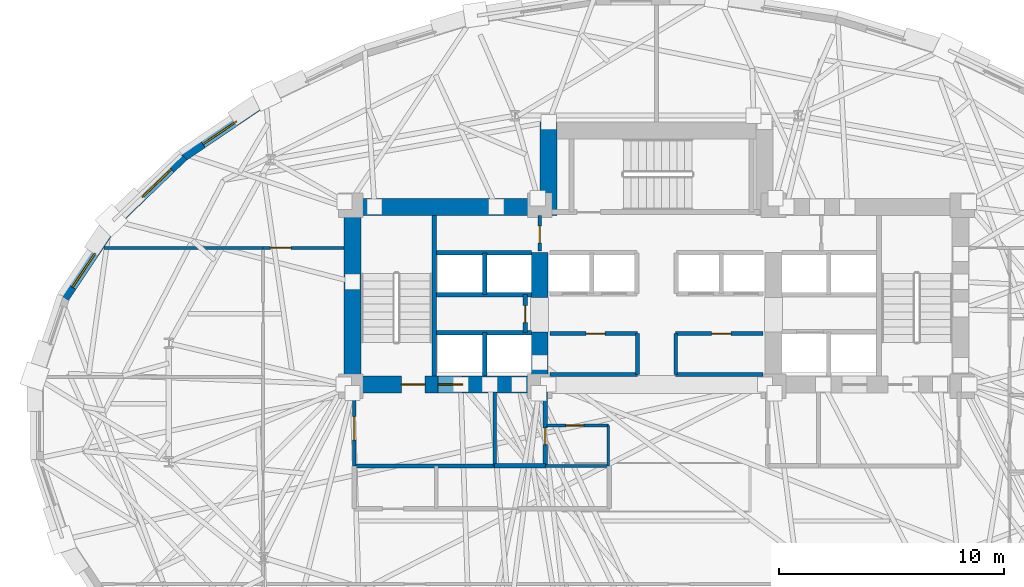
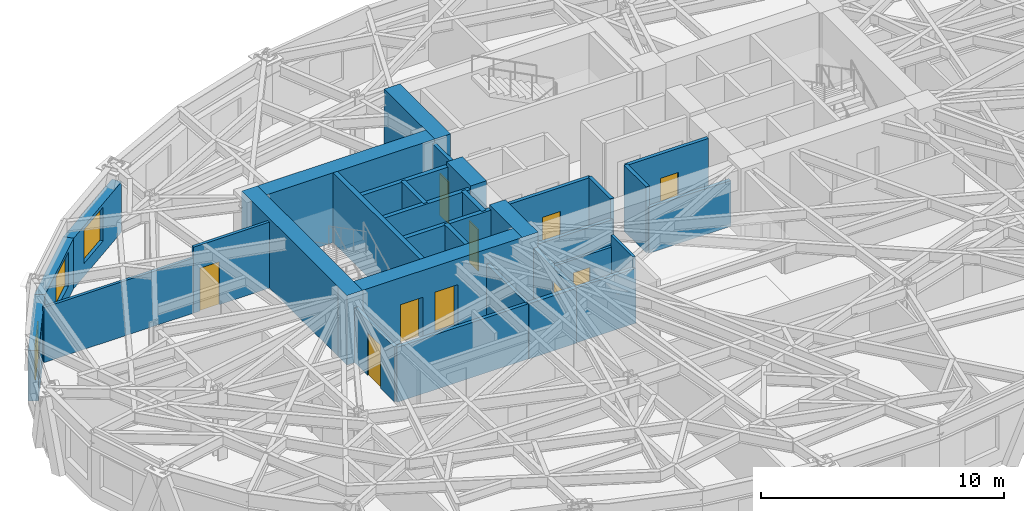
# One storey, part 7 of 14: 33 walls, 10 doors, 3 windows, 13 openings.
"""IFC4 building model written with IfcOpenShell, lengths in metres."""

from ifc_helpers import new_model, si_unit, direction, frame, frame_2d, origin, place, context, subcontext, project, spatial, rectangle, extrude, material, layer, layer_set, type_object, element, fill, save


model = new_model("IFC4")

# Units and contexts
model_context = context("Model", 3, precision=1e-05, world=origin(), true_north=direction((0.0, 1.0)))
body_context = subcontext(model_context, "Body", "Model", "MODEL_VIEW")
ifc_project = project(units=[si_unit("LENGTHUNIT", "METRE"), si_unit("AREAUNIT", "SQUARE_METRE"), si_unit("VOLUMEUNIT", "CUBIC_METRE"), si_unit("PLANEANGLEUNIT", "RADIAN"), si_unit("MASSUNIT", "GRAM", prefix="KILO")], contexts=[model_context])

# Site, building, storey
site_placement = place(None, origin())
site = spatial("IfcSite", under=ifc_project, at=site_placement, CompositionType="ELEMENT")
building_placement = place(site_placement, origin())
building = spatial("IfcBuilding", under=site, at=building_placement, Name="Keldmark Tower", CompositionType="ELEMENT")
storey_placement = place(building_placement, frame((0.0, 0.0, 100.10009765625)))
storey = spatial("IfcBuildingStorey", under=building, at=storey_placement, Name="L26", CompositionType="ELEMENT", Elevation=100.10009765625)

# Wall, opening, door
ifc_material_1 = material(Name="Acoustic Double-Layer Gypsum Corridor Partition", Category="gypsum")
ifc_layer_1 = layer(ifc_material_1, 0.139892578125)
ifc_layer_set_1 = layer_set([ifc_layer_1], Name="Acoustic Double-Layer Gypsum Corridor Partition")
wall_type_1 = type_object("IfcWallType", Name="Acoustic Corridor Partition 140 mm", PredefinedType="PARTITIONING", material=ifc_layer_set_1)
wall_1_placement = place(storey_placement, frame((-17.5, 7.550048828125, 0.0), z_axis=(0.0, 0.0, 1.0), x_axis=(1.0, 0.0, 0.0)))
wall_1 = element("IfcWall", 1, at=wall_1_placement, inside=storey, type_object=wall_type_1, Name="L26 Acoustic Corridor Partition 140 mm COR-WN-CAP", PredefinedType="PARTITIONING", context=body_context, shape_type="SweptSolid", body=[
    extrude(rectangle(XDim=3.60009765625, YDim=0.139892578125, at=frame_2d((1.800048828125, 0.0))), origin(), (0.0, 0.0, 1.0), 3.309814453125),
])
opening_1_placement = place(wall_1_placement, frame((0.320068359375, 0.0, 0.0)))
opening_1 = element("IfcOpeningElement", 2, at=opening_1_placement, cuts=wall_1, Name="Opening D-EX092", PredefinedType="OPENING", context=body_context, shape_type="SweptSolid", body=[
    extrude(rectangle(XDim=0.919921875, YDim=2.14990234375, at=frame_2d((0.4599609375, 1.074951171875))), frame((0.0, 0.079833984375, 0.0), z_axis=(0.0, -1.0, 0.0), x_axis=(1.0, 0.0, 0.0)), (0.0, 0.0, 1.0), 0.159912109375),
])
ifc_material_2 = material(Name="Flush American Ash Executive Office Door", Category="wood")
door_type_1 = type_object("IfcDoorType", Name="Executive Office Door 920x2150", OperationType="NOTDEFINED", PredefinedType="DOOR", material=ifc_material_2)
door_1_placement = place(opening_1_placement, origin())
door_1 = element("IfcDoor", 3, at=door_1_placement, inside=storey, type_object=door_type_1, Name="L26 Executive Office Door 920x2150 D-NRNW-L26", OperationType="SINGLE_SWING_LEFT", OverallHeight=2.14990234375, OverallWidth=0.919921875, PredefinedType="DOOR", context=body_context, shape_type="SweptSolid", body=[
    extrude(rectangle(XDim=0.919921875, YDim=2.14990234375, at=frame_2d((0.4599609375, 1.074951171875))), frame((0.0, 0.02490234375, 0.0), z_axis=(0.0, -1.0, 0.0), x_axis=(1.0, 0.0, 0.0)), (0.0, 0.0, 1.0), 0.050048828125),
])
fill(opening_1, door_1)

ifc_material_3 = material(Name="Acoustic Gypsum Board Interior Partition", Category="gypsum")
ifc_layer_2 = layer(ifc_material_3, 0.1298828125)
ifc_layer_set_2 = layer_set([ifc_layer_2], Name="Acoustic Gypsum Board Interior Partition")
wall_type_2 = type_object("IfcWallType", Name="Interior Partition 130 mm", PredefinedType="PARTITIONING", material=ifc_layer_set_2)
wall_2_placement = place(storey_placement, frame((-4.8798828125, -0.35009765625, 0.0), z_axis=(0.0, 0.0, 1.0), x_axis=(1.0, 0.0, 0.0)))
wall_2 = element("IfcWall", 4, at=wall_2_placement, inside=storey, type_object=wall_type_2, Name="L26 Interior Partition 130 mm CSC-W-N", PredefinedType="PARTITIONING", context=body_context, shape_type="SweptSolid", body=[
    extrude(rectangle(XDim=2.72998046875, YDim=0.1298828125, at=frame_2d((1.364990234375, 0.0))), origin(), (0.0, 0.0, 1.0), 2.762939453125),
])
opening_2_placement = place(wall_2_placement, frame((0.85009765625, 0.0, 0.0)))
opening_2 = element("IfcOpeningElement", 5, at=opening_2_placement, cuts=wall_2, Name="Opening D-CL078", PredefinedType="OPENING", context=body_context, shape_type="SweptSolid", body=[
    extrude(rectangle(XDim=0.780029296875, YDim=2.10009765625, at=frame_2d((0.39013671875, 1.050048828125))), frame((0.0, 0.074951171875, 0.0), z_axis=(0.0, -1.0, 0.0), x_axis=(1.0, 0.0, 0.0)), (0.0, 0.0, 1.0), 0.14990234375),
])
ifc_material_4 = material(Name="Flush Utility Closet Timber Door", Category="wood")
door_type_2 = type_object("IfcDoorType", Name="Closet Door 780x2100", OperationType="NOTDEFINED", PredefinedType="DOOR", material=ifc_material_4)
door_2_placement = place(opening_2_placement, origin())
door_2 = element("IfcDoor", 6, at=door_2_placement, inside=storey, type_object=door_type_2, Name="L26 Closet Door 780x2100 D-CSCW1-L26", OperationType="SINGLE_SWING_LEFT", OverallHeight=2.10009765625, OverallWidth=0.780029296875, PredefinedType="DOOR", context=body_context, shape_type="SweptSolid", body=[
    extrude(rectangle(XDim=0.780029296875, YDim=2.10009765625, at=frame_2d((0.39013671875, 1.050048828125))), frame((0.0, 0.02490234375, 0.0), z_axis=(0.0, -1.0, 0.0), x_axis=(1.0, 0.0, 0.0)), (0.0, 0.0, 1.0), 0.050048828125),
])
fill(opening_2, door_2)

# Walls
wall_3_placement = place(storey_placement, frame((-2.14990234375, -2.14990234375, 0.0), z_axis=(0.0, 0.0, 1.0), x_axis=(0.0, 1.0, 0.0)))
element("IfcWall", 7, at=wall_3_placement, inside=storey, type_object=wall_type_2, Name="L26 Interior Partition 130 mm CSC-W-E", PredefinedType="PARTITIONING", context=body_context, shape_type="SweptSolid", body=[
    extrude(rectangle(XDim=1.7998046875, YDim=0.1298828125, at=frame_2d((0.89990234375, 0.0))), origin(), (0.0, 0.0, 1.0), 3.309814453125),
])
wall_4_placement = place(storey_placement, frame((-24.588623046875, 7.550048828125, 0.0), z_axis=(0.0, 0.0, 1.0), x_axis=(1.0, 0.0, 0.0)))
element("IfcWall", 8, at=wall_4_placement, inside=storey, type_object=wall_type_2, Name="L26 Interior Partition 130 mm W-CAP-N", PredefinedType="PARTITIONING", context=body_context, shape_type="SweptSolid", body=[
    extrude(rectangle(XDim=7.088623046875, YDim=0.1298828125, at=frame_2d((3.54443359375, 0.0))), origin(), (0.0, 0.0, 1.0), 2.762939453125),
])
ifc_material_5 = material(Name="Concrete C70/85", Category="concrete")
ifc_layer_3 = layer(ifc_material_5, 0.75)
ifc_layer_set_3 = layer_set([ifc_layer_3], Name="Concrete C70/85")
wall_type_3 = type_object("IfcWallType", Name="Low-Mid Core Shear Wall 750 mm", PredefinedType="SHEAR", material=ifc_layer_set_3)
wall_5_placement = place(storey_placement, frame((-13.52490234375, 1.10009765625, 0.0), z_axis=(0.0, 0.0, 1.0), x_axis=(0.0, 1.0, 0.0)))
element("IfcWall", 9, at=wall_5_placement, inside=storey, type_object=wall_type_3, Name="L26 West Core Outer Shear Wall", PredefinedType="SHEAR", context=body_context, shape_type="SweptSolid", body=[
    extrude(rectangle(XDim=8.64990234375, YDim=0.75, at=frame_2d((4.324951171875, 0.0))), origin(), (0.0, 0.0, 1.0), 3.5),
])
wall_6_placement = place(storey_placement, frame((-13.89990234375, 9.375, 0.0), z_axis=(0.0, 0.0, 1.0), x_axis=(1.0, 0.0, 0.0)))
element("IfcWall", 10, at=wall_6_placement, inside=storey, type_object=wall_type_3, Name="L26 West Core North Shear Wall", PredefinedType="SHEAR", context=body_context, shape_type="SweptSolid", body=[
    extrude(rectangle(XDim=9.474853515625, YDim=0.75, at=frame_2d((4.7373046875, 0.0))), origin(), (0.0, 0.0, 1.0), 3.5),
])

# Wall, openings, doors
wall_7_placement = place(storey_placement, frame((-4.824951171875, 1.47509765625, 0.0), z_axis=(0.0, 0.0, 1.0), x_axis=(-1.0, 0.0, 0.0)))
wall_7 = element("IfcWall", 11, at=wall_7_placement, inside=storey, type_object=wall_type_3, Name="L26 West Core South Shear Wall", PredefinedType="SHEAR", context=body_context, shape_type="SweptSolid", body=[
    extrude(rectangle(XDim=9.074951171875, YDim=0.75, at=frame_2d((4.53759765625, 0.0))), origin(), (0.0, 0.0, 1.0), 3.5),
])
opening_3_placement = place(wall_7_placement, frame((5.47509765625, 0.0, 0.0)))
opening_3 = element("IfcOpeningElement", 12, at=opening_3_placement, cuts=wall_7, Name="Opening D-ST105", PredefinedType="OPENING", context=body_context, shape_type="SweptSolid", body=[
    extrude(rectangle(XDim=1.050048828125, YDim=2.14990234375, at=frame_2d((0.52490234375, 1.074951171875))), frame((0.0, 0.385009765625, 0.0), z_axis=(0.0, -1.0, 0.0), x_axis=(1.0, 0.0, 0.0)), (0.0, 0.0, 1.0), 0.77001953125),
])
opening_4_placement = place(wall_7_placement, frame((3.804931640625, 0.0, 0.0)))
opening_4 = element("IfcOpeningElement", 13, at=opening_4_placement, cuts=wall_7, Name="Opening LD-110", PredefinedType="OPENING", context=body_context, shape_type="SweptSolid", body=[
    extrude(rectangle(XDim=1.10009765625, YDim=2.199951171875, at=frame_2d((0.550048828125, 1.10009765625))), frame((0.0, 0.385009765625, 0.0), z_axis=(0.0, -1.0, 0.0), x_axis=(1.0, 0.0, 0.0)), (0.0, 0.0, 1.0), 0.77001953125),
])
ifc_material_6 = material(Name="Brushed Bronze Hoistway Sliding Leaf", Category="metal")
door_type_3 = type_object("IfcDoorType", Name="Lift Landing Sliding Door 1100x2200", OperationType="SLIDING_TO_LEFT", PredefinedType="DOOR", material=ifc_material_6)
door_3_placement = place(opening_4_placement, origin())
door_3 = element("IfcDoor", 14, at=door_3_placement, inside=storey, type_object=door_type_3, Name="L26 Lift Landing Sliding Door 1100x2200 LD-EL-FS1-L26", OperationType="SLIDING_TO_LEFT", OverallHeight=2.199951171875, OverallWidth=1.10009765625, PredefinedType="DOOR", context=body_context, shape_type="SweptSolid", body=[
    extrude(rectangle(XDim=1.10009765625, YDim=2.199951171875, at=frame_2d((0.550048828125, 1.10009765625))), frame((0.0, 0.02490234375, 0.0), z_axis=(0.0, -1.0, 0.0), x_axis=(1.0, 0.0, 0.0)), (0.0, 0.0, 1.0), 0.050048828125),
])
fill(opening_4, door_3)
ifc_material_7 = material(Name="Hollow Metal Fire-Rated Door Assembly", Category="metal")
door_type_4 = type_object("IfcDoorType", Name="Stair Fire Door 1050x2150", OperationType="NOTDEFINED", PredefinedType="DOOR", material=ifc_material_7)
door_4_placement = place(opening_3_placement, origin())
door_4 = element("IfcDoor", 15, at=door_4_placement, inside=storey, type_object=door_type_4, Name="L26 Stair Fire Door 1050x2150 D-ST1-L26", OperationType="SINGLE_SWING_RIGHT", OverallHeight=2.14990234375, OverallWidth=1.050048828125, PredefinedType="DOOR", context=body_context, shape_type="SweptSolid", body=[
    extrude(rectangle(XDim=1.050048828125, YDim=2.14990234375, at=frame_2d((0.52490234375, 1.074951171875))), frame((0.0, 0.02490234375, 0.0), z_axis=(0.0, -1.0, 0.0), x_axis=(1.0, 0.0, 0.0)), (0.0, 0.0, 1.0), 0.050048828125),
])
fill(opening_3, door_4)

# Walls
wall_8_placement = place(storey_placement, frame((-5.199951171875, 1.10009765625, 0.0), z_axis=(0.0, 0.0, 1.0), x_axis=(0.0, 1.0, 0.0)))
element("IfcWall", 16, at=wall_8_placement, inside=storey, type_object=wall_type_3, Name="L26 West Core Inner Shear Pier South", PredefinedType="SHEAR", context=body_context, shape_type="SweptSolid", body=[
    extrude(rectangle(XDim=2.699951171875, YDim=0.75, at=frame_2d((1.35009765625, 0.0))), origin(), (0.0, 0.0, 1.0), 3.5),
])
wall_9_placement = place(storey_placement, frame((-5.199951171875, 5.35009765625, 0.0), z_axis=(0.0, 0.0, 1.0), x_axis=(0.0, 1.0, 0.0)))
element("IfcWall", 17, at=wall_9_placement, inside=storey, type_object=wall_type_3, Name="L26 West Core Inner Shear Pier North", PredefinedType="SHEAR", context=body_context, shape_type="SweptSolid", body=[
    extrude(rectangle(XDim=2.0, YDim=0.75, at=frame_2d((1.0, 0.0))), origin(), (0.0, 0.0, 1.0), 3.5),
])
wall_10_placement = place(storey_placement, frame((-4.800048828125, 9.0, 0.0), z_axis=(0.0, 0.0, 1.0), x_axis=(0.0, 1.0, 0.0)))
element("IfcWall", 18, at=wall_10_placement, inside=storey, type_object=wall_type_3, Name="L26 North Core West Shear Wall", PredefinedType="SHEAR", context=body_context, shape_type="SweptSolid", body=[
    extrude(rectangle(XDim=4.14990234375, YDim=0.75, at=frame_2d((2.074951171875, 0.0))), origin(), (0.0, 0.0, 1.0), 3.5),
])
ifc_material_8 = material(Name="Type X Fire-Rated Gypsum Partition Assembly", Category="gypsum")
ifc_layer_4 = layer(ifc_material_8, 0.1650390625)
ifc_layer_set_4 = layer_set([ifc_layer_4], Name="Type X Fire-Rated Gypsum Partition Assembly")
wall_type_4 = type_object("IfcWallType", Name="Rated Partition 165 mm", PredefinedType="PARTITIONING", material=ifc_layer_set_4)
wall_11_placement = place(storey_placement, frame((-13.449951171875, -2.14990234375, 0.0), z_axis=(0.0, 0.0, 1.0), x_axis=(1.0, 0.0, 0.0)))
element("IfcWall", 19, at=wall_11_placement, inside=storey, type_object=wall_type_4, Name="L26 Rated Partition 165 mm FSAE-W-S", PredefinedType="PARTITIONING", context=body_context, shape_type="SweptSolid", body=[
    extrude(rectangle(XDim=6.25, YDim=0.1650390625, at=frame_2d((3.125, 0.0))), origin(), (0.0, 0.0, 1.0), 2.762939453125),
])

# Wall, opening, door
wall_12_placement = place(storey_placement, frame((-13.449951171875, -2.14990234375, 0.0), z_axis=(0.0, 0.0, 1.0), x_axis=(0.0, 1.0, 0.0)))
wall_12 = element("IfcWall", 20, at=wall_12_placement, inside=storey, type_object=wall_type_4, Name="L26 Rated Partition 165 mm FSAE-W-W", PredefinedType="PARTITIONING", context=body_context, shape_type="SweptSolid", body=[
    extrude(rectangle(XDim=3.2998046875, YDim=0.1650390625, at=frame_2d((1.64990234375, 0.0))), origin(), (0.0, 0.0, 1.0), 2.762939453125),
])
opening_5_placement = place(wall_12_placement, frame((1.14990234375, 0.0, 0.0)))
opening_5 = element("IfcOpeningElement", 21, at=opening_5_placement, cuts=wall_12, Name="Opening D-FL105", PredefinedType="OPENING", context=body_context, shape_type="SweptSolid", body=[
    extrude(rectangle(XDim=1.050048828125, YDim=2.14990234375, at=frame_2d((0.52490234375, 1.074951171875))), frame((0.0, 0.092529296875, 0.0), z_axis=(0.0, -1.0, 0.0), x_axis=(1.0, 0.0, 0.0)), (0.0, 0.0, 1.0), 0.18505859375),
])
ifc_material_9 = material(Name="Fire-Rated Mineral-Core Door and Vision Lite", Category="metal")
door_type_5 = type_object("IfcDoorType", Name="Fire Lobby Door 1050x2150", OperationType="NOTDEFINED", PredefinedType="DOOR", material=ifc_material_9)
door_5_placement = place(opening_5_placement, origin())
door_5 = element("IfcDoor", 22, at=door_5_placement, inside=storey, type_object=door_type_5, Name="L26 Fire Lobby Door 1050x2150 D-FSAEW-OUT-L26", OperationType="SINGLE_SWING_LEFT", OverallHeight=2.14990234375, OverallWidth=1.050048828125, PredefinedType="DOOR", context=body_context, shape_type="SweptSolid", body=[
    extrude(rectangle(XDim=1.050048828125, YDim=2.14990234375, at=frame_2d((0.52490234375, 1.074951171875))), frame((0.0, 0.02490234375, 0.0), z_axis=(0.0, -1.0, 0.0), x_axis=(1.0, 0.0, 0.0)), (0.0, 0.0, 1.0), 0.050048828125),
])
fill(opening_5, door_5)

# Walls
wall_13_placement = place(storey_placement, frame((-7.199951171875, -2.14990234375, 0.0), z_axis=(0.0, 0.0, 1.0), x_axis=(0.0, 1.0, 0.0)))
element("IfcWall", 23, at=wall_13_placement, inside=storey, type_object=wall_type_4, Name="L26 Rated Partition 165 mm FSAE-W-E", PredefinedType="PARTITIONING", context=body_context, shape_type="SweptSolid", body=[
    extrude(rectangle(XDim=3.2998046875, YDim=0.1650390625, at=frame_2d((1.64990234375, 0.0))), origin(), (0.0, 0.0, 1.0), 2.762939453125),
])
wall_14_placement = place(storey_placement, frame((-4.739990234375, 1.919921875, 0.0), z_axis=(0.0, 0.0, 1.0), x_axis=(1.0, 0.0, 0.0)))
element("IfcWall", 24, at=wall_14_placement, inside=storey, type_object=wall_type_4, Name="L26 Rated Partition 165 mm REC-LW-S", PredefinedType="PARTITIONING", context=body_context, shape_type="SweptSolid", body=[
    extrude(rectangle(XDim=3.889892578125, YDim=0.1650390625, at=frame_2d((1.94482421875, 0.0))), origin(), (0.0, 0.0, 1.0), 2.2998046875),
])

# Wall, opening, door
wall_15_placement = place(storey_placement, frame((-4.739990234375, 3.739990234375, 0.0), z_axis=(0.0, 0.0, 1.0), x_axis=(1.0, 0.0, 0.0)))
wall_15 = element("IfcWall", 25, at=wall_15_placement, inside=storey, type_object=wall_type_4, Name="L26 Rated Partition 165 mm REC-LW-N", PredefinedType="PARTITIONING", context=body_context, shape_type="SweptSolid", body=[
    extrude(rectangle(XDim=3.889892578125, YDim=0.1650390625, at=frame_2d((1.94482421875, 0.0))), origin(), (0.0, 0.0, 1.0), 3.309814453125),
])
opening_6_placement = place(wall_15_placement, frame((1.60009765625, 0.0, 0.0)))
opening_6 = element("IfcOpeningElement", 26, at=opening_6_placement, cuts=wall_15, Name="Opening D-SV085", PredefinedType="OPENING", context=body_context, shape_type="SweptSolid", body=[
    extrude(rectangle(XDim=0.85009765625, YDim=2.10009765625, at=frame_2d((0.425048828125, 1.050048828125))), frame((0.0, 0.092529296875, 0.0), z_axis=(0.0, -1.0, 0.0), x_axis=(1.0, 0.0, 0.0)), (0.0, 0.0, 1.0), 0.18505859375),
])
ifc_material_10 = material(Name="Painted Hollow Metal Door Assembly", Category="metal")
door_type_6 = type_object("IfcDoorType", Name="Service Door 850x2100", OperationType="NOTDEFINED", PredefinedType="DOOR", material=ifc_material_10)
door_6_placement = place(opening_6_placement, origin())
door_6 = element("IfcDoor", 27, at=door_6_placement, inside=storey, type_object=door_type_6, Name="L26 Service Door 850x2100 D-RECLW1-L26", OperationType="SINGLE_SWING_LEFT", OverallHeight=2.10009765625, OverallWidth=0.85009765625, PredefinedType="DOOR", context=body_context, shape_type="SweptSolid", body=[
    extrude(rectangle(XDim=0.85009765625, YDim=2.10009765625, at=frame_2d((0.425048828125, 1.050048828125))), frame((0.0, 0.02490234375, 0.0), z_axis=(0.0, -1.0, 0.0), x_axis=(1.0, 0.0, 0.0)), (0.0, 0.0, 1.0), 0.050048828125),
])
fill(opening_6, door_6)

# Walls
wall_16_placement = place(storey_placement, frame((-0.85009765625, 1.919921875, 0.0), z_axis=(0.0, 0.0, 1.0), x_axis=(0.0, 1.0, 0.0)))
element("IfcWall", 28, at=wall_16_placement, inside=storey, type_object=wall_type_4, Name="L26 Rated Partition 165 mm REC-LW-E", PredefinedType="PARTITIONING", context=body_context, shape_type="SweptSolid", body=[
    extrude(rectangle(XDim=1.820068359375, YDim=0.1650390625, at=frame_2d((0.91015625, 0.0))), origin(), (0.0, 0.0, 1.0), 3.309814453125),
])
wall_17_placement = place(storey_placement, frame((0.85009765625, 1.919921875, 0.0), z_axis=(0.0, 0.0, 1.0), x_axis=(1.0, 0.0, 0.0)))
element("IfcWall", 29, at=wall_17_placement, inside=storey, type_object=wall_type_4, Name="L26 Rated Partition 165 mm REC-LE-S", PredefinedType="PARTITIONING", context=body_context, shape_type="SweptSolid", body=[
    extrude(rectangle(XDim=3.889892578125, YDim=0.1650390625, at=frame_2d((1.94482421875, 0.0))), origin(), (0.0, 0.0, 1.0), 2.2998046875),
])

# Wall, opening, door
wall_18_placement = place(storey_placement, frame((0.85009765625, 3.739990234375, 0.0), z_axis=(0.0, 0.0, 1.0), x_axis=(1.0, 0.0, 0.0)))
wall_18 = element("IfcWall", 30, at=wall_18_placement, inside=storey, type_object=wall_type_4, Name="L26 Rated Partition 165 mm REC-LE-N", PredefinedType="PARTITIONING", context=body_context, shape_type="SweptSolid", body=[
    extrude(rectangle(XDim=3.889892578125, YDim=0.1650390625, at=frame_2d((1.94482421875, 0.0))), origin(), (0.0, 0.0, 1.0), 3.309814453125),
])
opening_7_placement = place(wall_18_placement, frame((1.60009765625, 0.0, 0.0)))
opening_7 = element("IfcOpeningElement", 31, at=opening_7_placement, cuts=wall_18, Name="Opening D-SV085", PredefinedType="OPENING", context=body_context, shape_type="SweptSolid", body=[
    extrude(rectangle(XDim=0.85009765625, YDim=2.10009765625, at=frame_2d((0.425048828125, 1.050048828125))), frame((0.0, 0.092529296875, 0.0), z_axis=(0.0, -1.0, 0.0), x_axis=(1.0, 0.0, 0.0)), (0.0, 0.0, 1.0), 0.18505859375),
])
door_7_placement = place(opening_7_placement, origin())
door_7 = element("IfcDoor", 32, at=door_7_placement, inside=storey, type_object=door_type_6, Name="L26 Service Door 850x2100 D-RECLE1-L26", OperationType="SINGLE_SWING_RIGHT", OverallHeight=2.10009765625, OverallWidth=0.85009765625, PredefinedType="DOOR", context=body_context, shape_type="SweptSolid", body=[
    extrude(rectangle(XDim=0.85009765625, YDim=2.10009765625, at=frame_2d((0.425048828125, 1.050048828125))), frame((0.0, 0.02490234375, 0.0), z_axis=(0.0, -1.0, 0.0), x_axis=(1.0, 0.0, 0.0)), (0.0, 0.0, 1.0), 0.050048828125),
])
fill(opening_7, door_7)

# Wall
wall_19_placement = place(storey_placement, frame((0.85009765625, 1.919921875, 0.0), z_axis=(0.0, 0.0, 1.0), x_axis=(0.0, 1.0, 0.0)))
element("IfcWall", 33, at=wall_19_placement, inside=storey, type_object=wall_type_4, Name="L26 Rated Partition 165 mm REC-LE-W", PredefinedType="PARTITIONING", context=body_context, shape_type="SweptSolid", body=[
    extrude(rectangle(XDim=1.820068359375, YDim=0.1650390625, at=frame_2d((0.91015625, 0.0))), origin(), (0.0, 0.0, 1.0), 3.309814453125),
])

# Wall, opening, door
wall_20_placement = place(storey_placement, frame((-5.199951171875, 7.419921875, 0.0), z_axis=(0.0, 0.0, 1.0), x_axis=(0.0, 1.0, 0.0)))
wall_20 = element("IfcWall", 34, at=wall_20_placement, inside=storey, type_object=wall_type_4, Name="L26 Rated Partition 165 mm CS-NW-E", PredefinedType="PARTITIONING", context=body_context, shape_type="SweptSolid", body=[
    extrude(rectangle(XDim=1.580078125, YDim=0.1650390625, at=frame_2d((0.7900390625, 0.0))), origin(), (0.0, 0.0, 1.0), 3.309814453125),
])
opening_8_placement = place(wall_20_placement, frame((0.35009765625, 0.0, 0.0)))
opening_8 = element("IfcOpeningElement", 35, at=opening_8_placement, cuts=wall_20, Name="Opening D-RS075", PredefinedType="OPENING", context=body_context, shape_type="SweptSolid", body=[
    extrude(rectangle(XDim=0.75, YDim=2.10009765625, at=frame_2d((0.375, 1.050048828125))), frame((0.0, 0.092529296875, 0.0), z_axis=(0.0, -1.0, 0.0), x_axis=(1.0, 0.0, 0.0)), (0.0, 0.0, 1.0), 0.18505859375),
])
ifc_material_11 = material(Name="Galvanized Fire-Rated Access Leaf", Category="metal")
door_type_7 = type_object("IfcDoorType", Name="Riser Access Door 750x2100", OperationType="NOTDEFINED", PredefinedType="DOOR", material=ifc_material_11)
door_8_placement = place(opening_8_placement, origin())
door_8 = element("IfcDoor", 36, at=door_8_placement, inside=storey, type_object=door_type_7, Name="L26 Riser Access Door 750x2100 D-CSNW1-L26", OperationType="SINGLE_SWING_LEFT", OverallHeight=2.10009765625, OverallWidth=0.75, PredefinedType="DOOR", context=body_context, shape_type="SweptSolid", body=[
    extrude(rectangle(XDim=0.75, YDim=2.10009765625, at=frame_2d((0.375, 1.050048828125))), frame((0.0, 0.02490234375, 0.0), z_axis=(0.0, -1.0, 0.0), x_axis=(1.0, 0.0, 0.0)), (0.0, 0.0, 1.0), 0.050048828125),
])
fill(opening_8, door_8)

# Wall
ifc_material_12 = material(Name="Fire-Resistant Type X Gypsum Shaftliner Coreboard", Category="gypsum")
ifc_layer_5 = layer(ifc_material_12, 0.199951171875)
ifc_layer_set_5 = layer_set([ifc_layer_5], Name="Fire-Resistant Type X Gypsum Shaftliner Coreboard")
wall_type_5 = type_object("IfcWallType", Name="Shaft Wall 200 mm", PredefinedType="SOLIDWALL", material=ifc_layer_set_5)
wall_21_placement = place(storey_placement, frame((-7.199951171875, -2.14990234375, 0.0), z_axis=(0.0, 0.0, 1.0), x_axis=(1.0, 0.0, 0.0)))
element("IfcWall", 37, at=wall_21_placement, inside=storey, type_object=wall_type_5, Name="L26 Shaft Wall 200 mm RIS-SW-S", PredefinedType="SOLIDWALL", context=body_context, shape_type="SweptSolid", body=[
    extrude(rectangle(XDim=2.25, YDim=0.199951171875, at=frame_2d((1.125, 0.0))), origin(), (0.0, 0.0, 1.0), 2.762939453125),
])

# Wall, opening, door
wall_22_placement = place(storey_placement, frame((-4.949951171875, -2.14990234375, 0.0), z_axis=(0.0, 0.0, 1.0), x_axis=(0.0, 1.0, 0.0)))
wall_22 = element("IfcWall", 38, at=wall_22_placement, inside=storey, type_object=wall_type_5, Name="L26 Shaft Wall 200 mm RIS-SW-E", PredefinedType="SOLIDWALL", context=body_context, shape_type="SweptSolid", body=[
    extrude(rectangle(XDim=3.2998046875, YDim=0.199951171875, at=frame_2d((1.64990234375, 0.0))), origin(), (0.0, 0.0, 1.0), 2.762939453125),
])
opening_9_placement = place(wall_22_placement, frame((0.949951171875, 0.0, 0.0)))
opening_9 = element("IfcOpeningElement", 39, at=opening_9_placement, cuts=wall_22, Name="Opening D-RS075", PredefinedType="OPENING", context=body_context, shape_type="SweptSolid", body=[
    extrude(rectangle(XDim=0.75, YDim=2.10009765625, at=frame_2d((0.375, 1.050048828125))), frame((0.0, 0.10986328125, 0.0), z_axis=(0.0, -1.0, 0.0), x_axis=(1.0, 0.0, 0.0)), (0.0, 0.0, 1.0), 0.219970703125),
])
door_9_placement = place(opening_9_placement, origin())
door_9 = element("IfcDoor", 40, at=door_9_placement, inside=storey, type_object=door_type_7, Name="L26 Riser Access Door 750x2100 D-RISSW-L26", OperationType="SINGLE_SWING_RIGHT", OverallHeight=2.10009765625, OverallWidth=0.75, PredefinedType="DOOR", context=body_context, shape_type="SweptSolid", body=[
    extrude(rectangle(XDim=0.75, YDim=2.10009765625, at=frame_2d((0.375, 1.050048828125))), frame((0.0, 0.02490234375, 0.0), z_axis=(0.0, -1.0, 0.0), x_axis=(1.0, 0.0, 0.0)), (0.0, 0.0, 1.0), 0.050048828125),
])
fill(opening_9, door_9)

# Walls
wall_23_placement = place(storey_placement, frame((-9.780029296875, 3.780029296875, 0.0), z_axis=(0.0, 0.0, 1.0), x_axis=(1.0, 0.0, 0.0)))
element("IfcWall", 41, at=wall_23_placement, inside=storey, type_object=wall_type_5, Name="L26 Shaft Wall 200 mm HW-W-S", PredefinedType="SOLIDWALL", context=body_context, shape_type="SweptSolid", body=[
    extrude(rectangle(XDim=4.205078125, YDim=0.199951171875, at=frame_2d((2.1025390625, 0.0))), origin(), (0.0, 0.0, 1.0), 3.309814453125),
])
wall_24_placement = place(storey_placement, frame((-7.64990234375, 1.85009765625, 0.0), z_axis=(0.0, 0.0, 1.0), x_axis=(0.0, 1.0, 0.0)))
element("IfcWall", 42, at=wall_24_placement, inside=storey, type_object=wall_type_5, Name="L26 Shaft Wall 200 mm HW-W-M", PredefinedType="SOLIDWALL", context=body_context, shape_type="SweptSolid", body=[
    extrude(rectangle(XDim=1.929931640625, YDim=0.199951171875, at=frame_2d((0.96484375, 0.0))), origin(), (0.0, 0.0, 1.0), 3.309814453125),
])
for number, where, z_axis, x_axis, name in (
    (43, (-9.780029296875, 5.469970703125, 0.0), (0.0, 0.0, 1.0), (1.0, 0.0, 0.0), "L26 Shaft Wall 200 mm HW-W-N"),
    (44, (-9.780029296875, 7.330078125, 0.0), (0.0, 0.0, 1.0), (1.0, 0.0, 0.0), "L26 Shaft Wall 200 mm HW-W-TOP"),
):
    element("IfcWall", number, at=place(storey_placement, frame(where, z_axis=z_axis, x_axis=x_axis)), inside=storey, type_object=wall_type_5, Name=name, PredefinedType="SOLIDWALL", context=body_context, shape_type="SweptSolid", body=[
        extrude(rectangle(XDim=4.205078125, YDim=0.199951171875, at=frame_2d((2.1025390625, 0.0))), origin(), (0.0, 0.0, 1.0), 3.309814453125),
    ])
wall_25_placement = place(storey_placement, frame((-7.64990234375, 5.469970703125, 0.0), z_axis=(0.0, 0.0, 1.0), x_axis=(0.0, 1.0, 0.0)))
element("IfcWall", 45, at=wall_25_placement, inside=storey, type_object=wall_type_5, Name="L26 Shaft Wall 200 mm HW-W-NM", PredefinedType="SOLIDWALL", context=body_context, shape_type="SweptSolid", body=[
    extrude(rectangle(XDim=1.860107421875, YDim=0.199951171875, at=frame_2d((0.93017578125, 0.0))), origin(), (0.0, 0.0, 1.0), 3.309814453125),
])

# Wall, opening, door
wall_26_placement = place(storey_placement, frame((-5.85009765625, 3.780029296875, 0.0), z_axis=(0.0, 0.0, 1.0), x_axis=(0.0, 1.0, 0.0)))
wall_26 = element("IfcWall", 46, at=wall_26_placement, inside=storey, type_object=wall_type_5, Name="L26 Shaft Wall 200 mm HW-W-CLOSE", PredefinedType="SOLIDWALL", context=body_context, shape_type="SweptSolid", body=[
    extrude(rectangle(XDim=1.68994140625, YDim=0.199951171875, at=frame_2d((0.844970703125, 0.0))), origin(), (0.0, 0.0, 1.0), 3.309814453125),
])
opening_10_placement = place(wall_26_placement, frame((0.449951171875, 0.0, 0.0)))
opening_10 = element("IfcOpeningElement", 47, at=opening_10_placement, cuts=wall_26, Name="Opening D-RS075", PredefinedType="OPENING", context=body_context, shape_type="SweptSolid", body=[
    extrude(rectangle(XDim=0.75, YDim=2.10009765625, at=frame_2d((0.375, 1.050048828125))), frame((0.0, 0.10986328125, 0.0), z_axis=(0.0, -1.0, 0.0), x_axis=(1.0, 0.0, 0.0)), (0.0, 0.0, 1.0), 0.219970703125),
])
door_10_placement = place(opening_10_placement, origin())
door_10 = element("IfcDoor", 48, at=door_10_placement, inside=storey, type_object=door_type_7, Name="L26 Riser Access Door 750x2100 D-RISHW-L26", OperationType="SINGLE_SWING_RIGHT", OverallHeight=2.10009765625, OverallWidth=0.75, PredefinedType="DOOR", context=body_context, shape_type="SweptSolid", body=[
    extrude(rectangle(XDim=0.75, YDim=2.10009765625, at=frame_2d((0.375, 1.050048828125))), frame((0.0, 0.02490234375, 0.0), z_axis=(0.0, -1.0, 0.0), x_axis=(1.0, 0.0, 0.0)), (0.0, 0.0, 1.0), 0.050048828125),
])
fill(opening_10, door_10)

# Wall
ifc_material_13 = material(Name="Concrete C50/60", Category="concrete")
ifc_layer_6 = layer(ifc_material_13, 0.219970703125)
ifc_layer_set_6 = layer_set([ifc_layer_6], Name="Concrete C50/60")
wall_type_6 = type_object("IfcWallType", Name="Stair Core Shear Wall 220 mm", PredefinedType="SHEAR", material=ifc_layer_set_6)
wall_27_placement = place(storey_placement, frame((-9.889892578125, 1.85009765625, 0.0), z_axis=(0.0, 0.0, 1.0), x_axis=(0.0, 1.0, 0.0)))
element("IfcWall", 49, at=wall_27_placement, inside=storey, type_object=wall_type_6, Name="L26 West Stair Core Shear Wall", PredefinedType="SHEAR", context=body_context, shape_type="SweptSolid", body=[
    extrude(rectangle(XDim=7.14990234375, YDim=0.219970703125, at=frame_2d((3.574951171875, 0.0))), origin(), (0.0, 0.0, 1.0), 3.5),
])

# Wall, opening, window
ifc_material_14 = material(Name="Ironspot Manganese Brick and Kasota Buff Limestone Spandrel Assembly", Category="masonry")
ifc_layer_7 = layer(ifc_material_14, 0.43994140625)
ifc_layer_set_7 = layer_set([ifc_layer_7], Name="Ironspot Manganese Brick and Kasota Buff Limestone Spandrel Assembly")
wall_type_7 = type_object("IfcWallType", Name="Tower Brick Pier and Spandrel Wall 440 mm", PredefinedType="STANDARD", material=ifc_layer_set_7)
wall_28_placement = place(storey_placement, frame((-21.066162109375, 11.6064453125, 0.0), z_axis=(0.0, 0.0, 1.0), x_axis=(0.827754551165, 0.56109036975, 0.0)))
wall_28 = element("IfcWall", 50, at=wall_28_placement, inside=storey, type_object=wall_type_7, Name="L26 Exterior Brick and Spandrel Wall 12", PredefinedType="STANDARD", context=body_context, shape_type="SweptSolid", body=[
    extrude(rectangle(XDim=4.590576171875, YDim=0.43994140625, at=frame_2d((2.29541015625, 0.0))), origin(), (0.0, 0.0, 1.0), 2.52783203125),
])
opening_11_placement = place(wall_28_placement, frame((1.046630859375, 0.0, 0.64990234375)))
opening_11 = element("IfcOpeningElement", 51, at=opening_11_placement, cuts=wall_28, Name="Opening W-02", PredefinedType="OPENING", context=body_context, shape_type="SweptSolid", body=[
    extrude(rectangle(XDim=1.800048828125, YDim=1.699951171875, at=frame_2d((0.89990234375, 0.85009765625))), frame((0.0, 0.22998046875, 0.0), z_axis=(0.0, -1.0, 0.0), x_axis=(1.0, 0.0, 0.0)), (0.0, 0.0, 1.0), 0.4599609375),
])
ifc_material_15 = material(Name="Thermally Broken Anodized Aluminum and Triple Low-E Argon Glazing", Category="aluminium")
window_type = type_object("IfcWindowType", Name="Office Deep-Set Triple Window 1800x1700", PartitioningType="TRIPLE_PANEL_VERTICAL", PredefinedType="WINDOW", material=ifc_material_15)
window_1_placement = place(opening_11_placement, origin())
window_1 = element("IfcWindow", 52, at=window_1_placement, inside=storey, type_object=window_type, Name="L26 Deep-Set Window 12", OverallHeight=1.699951171875, OverallWidth=1.800048828125, PartitioningType="SINGLE_PANEL", PredefinedType="WINDOW", context=body_context, shape_type="SweptSolid", body=[
    extrude(rectangle(XDim=1.800048828125, YDim=1.699951171875, at=frame_2d((0.89990234375, 0.85009765625))), frame((0.0, -0.010009765625, 0.0), z_axis=(0.0, -1.0, 0.0), x_axis=(1.0, 0.0, 0.0)), (0.0, 0.0, 1.0), 0.06005859375),
])
fill(opening_11, window_1)

wall_29_placement = place(storey_placement, frame((-24.140380859375, 8.643798828125, 0.0), z_axis=(0.0, 0.0, 1.0), x_axis=(0.720581378362, 0.693370375166, 0.0)))
wall_29 = element("IfcWall", 53, at=wall_29_placement, inside=storey, type_object=wall_type_7, Name="L26 Exterior Brick and Spandrel Wall 13", PredefinedType="STANDARD", context=body_context, shape_type="SweptSolid", body=[
    extrude(rectangle(XDim=4.306640625, YDim=0.43994140625, at=frame_2d((2.1533203125, 0.0))), origin(), (0.0, 0.0, 1.0), 2.52783203125),
])
opening_12_placement = place(wall_29_placement, frame((1.71875, 0.0, 0.64990234375)))
opening_12 = element("IfcOpeningElement", 54, at=opening_12_placement, cuts=wall_29, Name="Opening W-02", PredefinedType="OPENING", context=body_context, shape_type="SweptSolid", body=[
    extrude(rectangle(XDim=1.800048828125, YDim=1.699951171875, at=frame_2d((0.89990234375, 0.85009765625))), frame((0.0, 0.22998046875, 0.0), z_axis=(0.0, -1.0, 0.0), x_axis=(1.0, 0.0, 0.0)), (0.0, 0.0, 1.0), 0.4599609375),
])
window_2_placement = place(opening_12_placement, origin())
window_2 = element("IfcWindow", 55, at=window_2_placement, inside=storey, type_object=window_type, Name="L26 Deep-Set Window 13", OverallHeight=1.699951171875, OverallWidth=1.800048828125, PartitioningType="SINGLE_PANEL", PredefinedType="WINDOW", context=body_context, shape_type="SweptSolid", body=[
    extrude(rectangle(XDim=1.800048828125, YDim=1.699951171875, at=frame_2d((0.89990234375, 0.85009765625))), frame((0.0, -0.010009765625, 0.0), z_axis=(0.0, -1.0, 0.0), x_axis=(1.0, 0.0, 0.0)), (0.0, 0.0, 1.0), 0.06005859375),
])
fill(opening_12, window_2)

wall_30_placement = place(storey_placement, frame((-26.339599609375, 5.332275390625, 0.0), z_axis=(0.0, 0.0, 1.0), x_axis=(0.554293965046, 0.83232097193, 0.0)))
wall_30 = element("IfcWall", 56, at=wall_30_placement, inside=storey, type_object=wall_type_7, Name="L26 Exterior Brick and Spandrel Wall 14", PredefinedType="STANDARD", context=body_context, shape_type="SweptSolid", body=[
    extrude(rectangle(XDim=4.022705078125, YDim=0.43994140625, at=frame_2d((2.01123046875, 0.0))), origin(), (0.0, 0.0, 1.0), 2.52783203125),
])
opening_13_placement = place(wall_30_placement, frame((0.593994140625, 0.0, 0.64990234375)))
opening_13 = element("IfcOpeningElement", 57, at=opening_13_placement, cuts=wall_30, Name="Opening W-02", PredefinedType="OPENING", context=body_context, shape_type="SweptSolid", body=[
    extrude(rectangle(XDim=1.800048828125, YDim=1.699951171875, at=frame_2d((0.89990234375, 0.85009765625))), frame((0.0, 0.22998046875, 0.0), z_axis=(0.0, -1.0, 0.0), x_axis=(1.0, 0.0, 0.0)), (0.0, 0.0, 1.0), 0.4599609375),
])
window_3_placement = place(opening_13_placement, origin())
window_3 = element("IfcWindow", 58, at=window_3_placement, inside=storey, type_object=window_type, Name="L26 Deep-Set Window 14", OverallHeight=1.699951171875, OverallWidth=1.800048828125, PartitioningType="SINGLE_PANEL", PredefinedType="WINDOW", context=body_context, shape_type="SweptSolid", body=[
    extrude(rectangle(XDim=1.800048828125, YDim=1.699951171875, at=frame_2d((0.89990234375, 0.85009765625))), frame((0.0, -0.010009765625, 0.0), z_axis=(0.0, -1.0, 0.0), x_axis=(1.0, 0.0, 0.0)), (0.0, 0.0, 1.0), 0.06005859375),
])
fill(opening_13, window_3)

# Wall
ifc_material_16 = material(Name="Moisture-Resistant Gypsum Plumbing Partition", Category="gypsum")
ifc_layer_8 = layer(ifc_material_16, 0.14990234375)
ifc_layer_set_8 = layer_set([ifc_layer_8], Name="Moisture-Resistant Gypsum Plumbing Partition")
wall_type_8 = type_object("IfcWallType", Name="Wet Wall 150 mm", PredefinedType="PLUMBINGWALL", material=ifc_layer_set_8)
wall_31_placement = place(storey_placement, frame((-4.949951171875, -2.14990234375, 0.0), z_axis=(0.0, 0.0, 1.0), x_axis=(1.0, 0.0, 0.0)))
element("IfcWall", 59, at=wall_31_placement, inside=storey, type_object=wall_type_8, Name="L26 Wet Wall 150 mm SPK-W-N", PredefinedType="PLUMBINGWALL", context=body_context, shape_type="SweptSolid", body=[
    extrude(rectangle(XDim=2.849853515625, YDim=0.14990234375, at=frame_2d((1.4248046875, 0.0))), origin(), (0.0, 0.0, 1.0), 2.762939453125),
])

save(model, "model.ifc")
